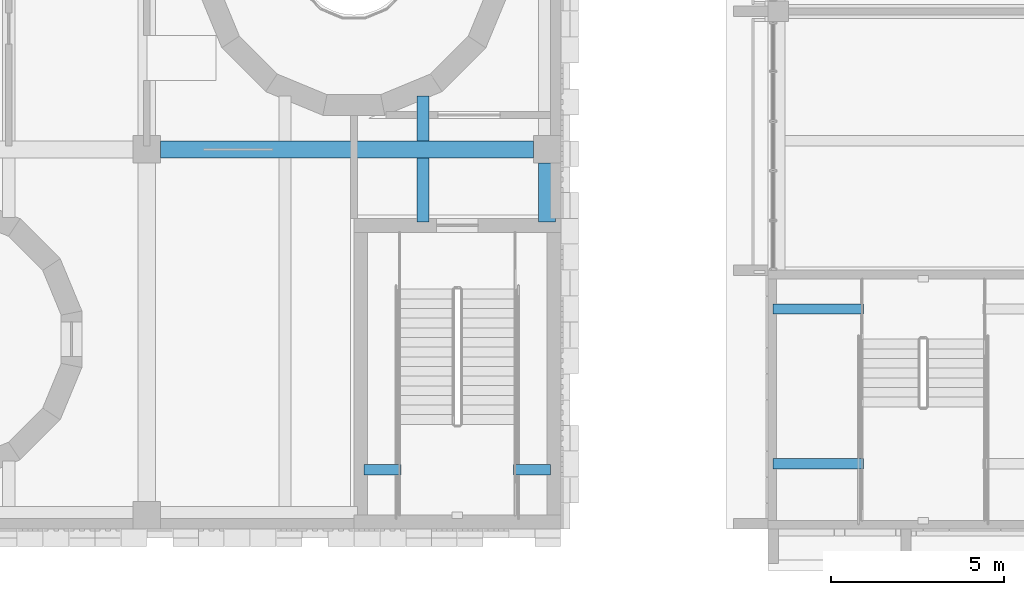
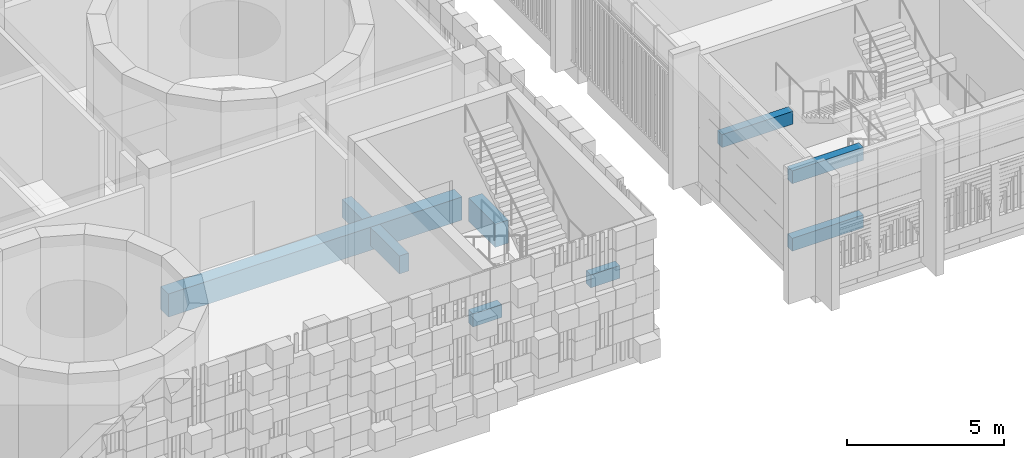
# One storey, part 28 of 125: 9 beams.
"""IFC4 building model written with IfcOpenShell, lengths in metres."""

from ifc_helpers import new_model, si_unit, direction, frame, origin, origin_2d, place, context, subcontext, project, spatial, rectangle, extrude, material, material_profile, profile_set, type_object, element, save


model = new_model("IFC4")

# Units and contexts
model_context = context("Model", 3, precision=1e-05, world=origin(), true_north=direction((0.0, 1.0)))
body_context = subcontext(model_context, "Body", "Model", "MODEL_VIEW")
ifc_project = project(units=[si_unit("LENGTHUNIT", "METRE"), si_unit("AREAUNIT", "SQUARE_METRE"), si_unit("VOLUMEUNIT", "CUBIC_METRE"), si_unit("PLANEANGLEUNIT", "RADIAN"), si_unit("MASSUNIT", "GRAM", prefix="KILO")], contexts=[model_context])

# Site, building, storey
site_placement = place(None, origin())
site = spatial("IfcSite", under=ifc_project, at=site_placement, CompositionType="ELEMENT")
building_placement = place(site_placement, origin())
building = spatial("IfcBuilding", under=site, at=building_placement, Name="Sun Court Science Centre", CompositionType="ELEMENT")
storey_placement = place(building_placement, frame((0.0, 0.0, 6.0)))
storey = spatial("IfcBuildingStorey", under=building, at=storey_placement, Name="L01", CompositionType="ELEMENT", Elevation=6.0)

# Beams
ifc_material_1 = material(Name="Concrete C25/30", Category="concrete")
ifc_material_profile_1 = material_profile(ifc_material_1, rectangle(XDim=0.5, YDim=0.89990234375, at=origin_2d()), Name="RC 500x900")
ifc_profile_set_1 = profile_set([ifc_material_profile_1], Name="Concrete C25/30")
beam_type_1 = type_object("IfcBeamType", Name="RC girder 500x900", PredefinedType="BEAM", material=ifc_profile_set_1)
beam_1_placement = place(storey_placement, frame((60.39990234375, 17.0, -0.75), z_axis=(1.0, 0.0, 0.0), x_axis=(0.0, 1.0, 0.0)))
element("IfcBeam", 1, at=beam_1_placement, inside=storey, type_object=beam_type_1, Name="Girder L01 line 2", PredefinedType="BEAM", context=body_context, shape_type="SweptSolid", body=[
    extrude(rectangle(XDim=0.5, YDim=0.89990234375, at=origin_2d()), origin(), (0.0, 0.0, 1.0), 10.800048828125),
])
beam_2_placement = place(storey_placement, frame((71.60009765625, 14.89990234375, -0.75), z_axis=(0.0, 1.0, 0.0), x_axis=(-1.0, 0.0, 0.0)))
element("IfcBeam", 2, at=beam_2_placement, inside=storey, type_object=beam_type_1, Name="Girder L01 line G", PredefinedType="BEAM", context=body_context, shape_type="SweptSolid", body=[
    extrude(rectangle(XDim=0.5, YDim=0.89990234375, at=origin_2d()), origin(), (0.0, 0.0, 1.0), 1.7001953125),
])
ifc_material_2 = material(Name="Concrete C25/30", Category="concrete")
ifc_material_profile_2 = material_profile(ifc_material_2, rectangle(XDim=0.35009765625, YDim=0.699951171875, at=origin_2d()), Name="RC 350x700")
ifc_profile_set_2 = profile_set([ifc_material_profile_2], Name="Concrete C25/30")
beam_type_2 = type_object("IfcBeamType", Name="RC joist 350x700", PredefinedType="JOIST", material=ifc_profile_set_2)
beam_3_placement = place(storey_placement, frame((68.0, 14.89990234375, -0.64990234375), z_axis=(0.0, 1.0, 0.0), x_axis=(-1.0, 0.0, 0.0)))
element("IfcBeam", 3, at=beam_3_placement, inside=storey, type_object=beam_type_2, Name="Joist L01", PredefinedType="JOIST", context=body_context, shape_type="SweptSolid", body=[
    extrude(rectangle(XDim=0.35009765625, YDim=0.699951171875, at=origin_2d()), origin(), (0.0, 0.0, 1.0), 1.85009765625),
])
beam_4_placement = place(storey_placement, frame((68.0, 17.25, -0.64990234375), z_axis=(0.0, 1.0, 0.0), x_axis=(-1.0, 0.0, 0.0)))
element("IfcBeam", 4, at=beam_4_placement, inside=storey, type_object=beam_type_2, Name="Joist L01", PredefinedType="JOIST", context=body_context, shape_type="SweptSolid", body=[
    extrude(rectangle(XDim=0.35009765625, YDim=0.699951171875, at=origin_2d()), origin(), (0.0, 0.0, 1.0), 1.30322265625),
])
ifc_material_3 = material(Name="Concrete C25/30", Category="concrete")
ifc_material_profile_3 = material_profile(ifc_material_3, rectangle(XDim=0.300048828125, YDim=0.5, at=origin_2d()), Name="RC 300x500")
ifc_profile_set_3 = profile_set([ifc_material_profile_3], Name="Concrete C25/30")
beam_type_3 = type_object("IfcBeamType", Name="RC landing trimmer 300x500", PredefinedType="BEAM", material=ifc_profile_set_3)
for number, where, z_axis, x_axis, name in (
    (5, (66.300048828125, 7.716064453125, 2.175048828125), (1.0, 0.0, 0.0), (0.0, 1.0, 0.0), "SB3 landing 1 trimmer beam 4"),
    (6, (71.699951171875, 7.716064453125, 2.175048828125), (-1.0, 0.0, 0.0), (0.0, -1.0, 0.0), "SB3 landing 1 trimmer beam 5"),
):
    element("IfcBeam", number, at=place(storey_placement, frame(where, z_axis=z_axis, x_axis=x_axis)), inside=storey, type_object=beam_type_3, Name=name, PredefinedType="BEAM", context=body_context, shape_type="SweptSolid", body=[
        extrude(rectangle(XDim=0.300048828125, YDim=0.5, at=origin_2d()), origin(), (0.0, 0.0, 1.0), 1.06689453125),
    ])
for number, where, z_axis, x_axis, name in (
    (7, (78.14990234375, 7.89599609375, 0.862548828125), (1.0, 0.0, 0.0), (0.0, 1.0, 0.0), "SL1 landing 1 trimmer beam 10"),
    (8, (78.14990234375, 12.3759765625, 2.175048828125), (1.0, 0.0, 0.0), (0.0, 1.0, 0.0), "SL1 landing 2 trimmer beam 13"),
    (9, (78.14990234375, 7.89599609375, 3.487548828125), (1.0, 0.0, 0.0), (0.0, 1.0, 0.0), "SL1 landing 3 trimmer beam 16"),
):
    element("IfcBeam", number, at=place(storey_placement, frame(where, z_axis=z_axis, x_axis=x_axis)), inside=storey, type_object=beam_type_3, Name=name, PredefinedType="BEAM", context=body_context, shape_type="SweptSolid", body=[
        extrude(rectangle(XDim=0.300048828125, YDim=0.5, at=origin_2d()), origin(), (0.0, 0.0, 1.0), 2.6171875),
    ])

save(model, "model.ifc")
